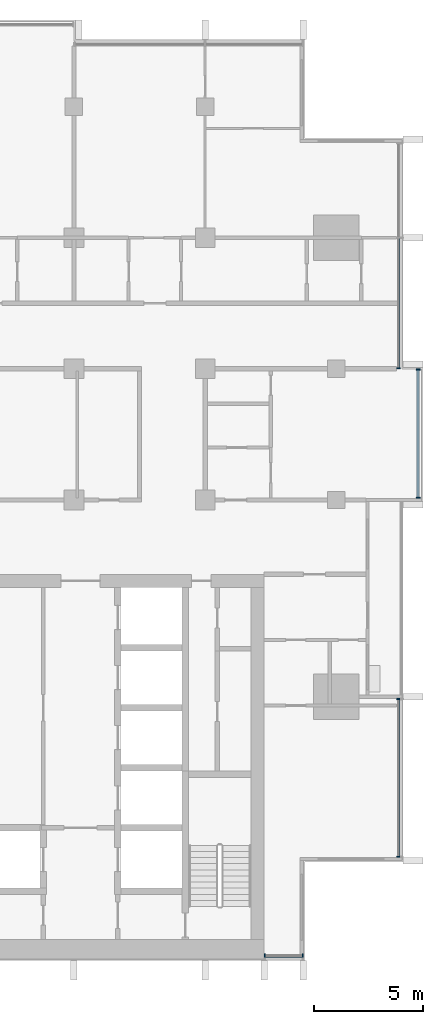
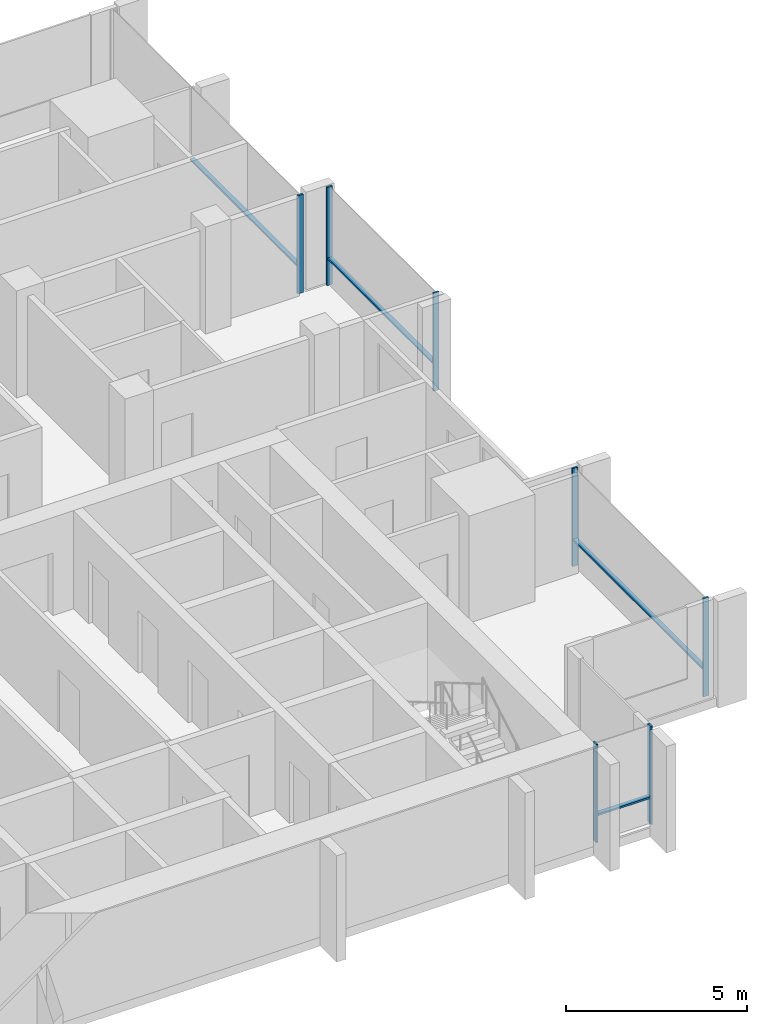
# One storey, part 3 of 16: 11 members, 4 elements without a shape of their own.
"""IFC4 building model written with IfcOpenShell, lengths in metres."""

from ifc_helpers import new_model, si_unit, direction, frame, origin, origin_2d, place, context, subcontext, project, spatial, rectangle, extrude, material, material_profile, profile_set, type_object, element, aggregate, save


model = new_model("IFC4")

# Units and contexts
model_context = context("Model", 3, precision=1e-05, world=origin(), true_north=direction((0.0, 1.0)))
body_context = subcontext(model_context, "Body", "Model", "MODEL_VIEW")
ifc_project = project(units=[si_unit("LENGTHUNIT", "METRE"), si_unit("AREAUNIT", "SQUARE_METRE"), si_unit("VOLUMEUNIT", "CUBIC_METRE"), si_unit("PLANEANGLEUNIT", "RADIAN"), si_unit("MASSUNIT", "GRAM", prefix="KILO")], contexts=[model_context])

# Site, building, storey
site_placement = place(None, origin())
site = spatial("IfcSite", under=ifc_project, at=site_placement, CompositionType="ELEMENT")
building_placement = place(site_placement, origin())
building = spatial("IfcBuilding", under=site, at=building_placement, Name="Finial Court Residences", CompositionType="ELEMENT")
storey_placement = place(building_placement, frame((0.0, 0.0, 223.10009765625)))
storey = spatial("IfcBuildingStorey", under=building, at=storey_placement, Name="L56", CompositionType="ELEMENT", Elevation=223.10009765625)

# Curtain wall, members
ifc_material = material(Name="Bronze anodised aluminium", Category="aluminium")
curtain_wall_type = type_object("IfcCurtainWallType", Name="Unitised curtain wall, upper zones", PredefinedType="NOTDEFINED", material=ifc_material)
curtain_wall_1_placement = place(storey_placement, origin())
curtain_wall_1 = element("IfcCurtainWall", 1, at=curtain_wall_1_placement, inside=storey, type_object=curtain_wall_type, Name="E-L56-CW-E4", PredefinedType="NOTDEFINED")
ifc_material_profile_1 = material_profile(ifc_material, rectangle(XDim=0.175048828125, YDim=0.06005859375, at=origin_2d()), Name="CW2 mullion 60 x 175")
ifc_profile_set_1 = profile_set([ifc_material_profile_1], Name="Bronze anodised aluminium")
member_type_1 = type_object("IfcMemberType", Name="CW2 mullion 60 x 175", PredefinedType="MULLION", material=ifc_profile_set_1)
member_1_placement = place(storey_placement, frame((19.35009765625, -20.820068359375, 0.0), z_axis=(0.0, 0.0, 1.0), x_axis=(-1.0, 0.0, 0.0)))
member_1 = element("IfcMember", 2, at=member_1_placement, type_object=member_type_1, Name="CW2 mullion 1", PredefinedType="MULLION", context=body_context, shape_type="SweptSolid", body=[
    extrude(rectangle(XDim=0.175048828125, YDim=0.06005859375, at=origin_2d()), origin(), (0.0, 0.0, 1.0), 3.2998046875),
])
member_2_placement = place(storey_placement, frame((19.35009765625, -13.60498046875, 0.0), z_axis=(0.0, 0.0, 1.0), x_axis=(-1.0, 0.0, 0.0)))
member_2 = element("IfcMember", 3, at=member_2_placement, type_object=member_type_1, Name="CW2 mullion 2", PredefinedType="MULLION", context=body_context, shape_type="SweptSolid", body=[
    extrude(rectangle(XDim=0.175048828125, YDim=0.06005859375, at=origin_2d()), origin(), (0.0, 0.0, 1.0), 3.2998046875),
])

curtain_wall_2_placement = place(storey_placement, origin())
curtain_wall_2 = element("IfcCurtainWall", 4, at=curtain_wall_2_placement, inside=storey, type_object=curtain_wall_type, Name="E-L56-CW-E5", PredefinedType="NOTDEFINED")
member_3_placement = place(storey_placement, frame((20.25, -4.39501953125, 0.0), z_axis=(0.0, 0.0, 1.0), x_axis=(-1.0, 0.0, 0.0)))
member_3 = element("IfcMember", 5, at=member_3_placement, type_object=member_type_1, Name="CW2 mullion 1", PredefinedType="MULLION", context=body_context, shape_type="SweptSolid", body=[
    extrude(rectangle(XDim=0.175048828125, YDim=0.06005859375, at=origin_2d()), origin(), (0.0, 0.0, 1.0), 3.2998046875),
])
member_4_placement = place(storey_placement, frame((20.25, 1.469970703125, 0.0), z_axis=(0.0, 0.0, 1.0), x_axis=(-1.0, 0.0, 0.0)))
member_4 = element("IfcMember", 6, at=member_4_placement, type_object=member_type_1, Name="CW2 mullion 2", PredefinedType="MULLION", context=body_context, shape_type="SweptSolid", body=[
    extrude(rectangle(XDim=0.175048828125, YDim=0.06005859375, at=origin_2d()), origin(), (0.0, 0.0, 1.0), 3.2998046875),
])

# Curtain wall, member
curtain_wall_3_placement = place(storey_placement, origin())
curtain_wall_3 = element("IfcCurtainWall", 7, at=curtain_wall_3_placement, inside=storey, type_object=curtain_wall_type, Name="E-L56-CW-E6", PredefinedType="NOTDEFINED")
member_5_placement = place(storey_placement, frame((19.35009765625, 1.530029296875, 0.0), z_axis=(0.0, 0.0, 1.0), x_axis=(-1.0, 0.0, 0.0)))
member_5 = element("IfcMember", 8, at=member_5_placement, type_object=member_type_1, Name="CW2 mullion 1", PredefinedType="MULLION", context=body_context, shape_type="SweptSolid", body=[
    extrude(rectangle(XDim=0.175048828125, YDim=0.06005859375, at=origin_2d()), origin(), (0.0, 0.0, 1.0), 3.2998046875),
])

# Curtain wall, members
curtain_wall_4_placement = place(storey_placement, origin())
curtain_wall_4 = element("IfcCurtainWall", 9, at=curtain_wall_4_placement, inside=storey, type_object=curtain_wall_type, Name="E-L56-CW-S8", PredefinedType="NOTDEFINED")
member_6_placement = place(storey_placement, frame((13.22998046875, -25.35009765625, 0.0), z_axis=(0.0, 0.0, 1.0), x_axis=(0.0, 1.0, 0.0)))
member_6 = element("IfcMember", 10, at=member_6_placement, type_object=member_type_1, Name="CW2 mullion 1", PredefinedType="MULLION", context=body_context, shape_type="SweptSolid", body=[
    extrude(rectangle(XDim=0.175048828125, YDim=0.06005859375, at=origin_2d()), origin(), (0.0, 0.0, 1.0), 3.2998046875),
])
member_7_placement = place(storey_placement, frame((14.969970703125, -25.35009765625, 0.0), z_axis=(0.0, 0.0, 1.0), x_axis=(0.0, 1.0, 0.0)))
member_7 = element("IfcMember", 11, at=member_7_placement, type_object=member_type_1, Name="CW2 mullion 2", PredefinedType="MULLION", context=body_context, shape_type="SweptSolid", body=[
    extrude(rectangle(XDim=0.175048828125, YDim=0.06005859375, at=origin_2d()), origin(), (0.0, 0.0, 1.0), 3.2998046875),
])

# Member
ifc_material_profile_2 = material_profile(ifc_material, rectangle(XDim=0.139892578125, YDim=0.06005859375, at=origin_2d()), Name="CW2 transom 60 x 140")
ifc_profile_set_2 = profile_set([ifc_material_profile_2], Name="Bronze anodised aluminium")
member_type_2 = type_object("IfcMemberType", Name="CW2 transom 60 x 140", PredefinedType="USERDEFINED", material=ifc_profile_set_2)
member_8_placement = place(storey_placement, frame((19.35009765625, -20.7900390625, 0.89990234375), z_axis=(0.0, 1.0, 0.0), x_axis=(-1.0, 0.0, 0.0)))
member_8 = element("IfcMember", 12, at=member_8_placement, type_object=member_type_2, Name="CW2 transom 1.1", ObjectType="TRANSOM", PredefinedType="USERDEFINED", context=body_context, shape_type="SweptSolid", body=[
    extrude(rectangle(XDim=0.139892578125, YDim=0.06005859375, at=origin_2d()), origin(), (0.0, 0.0, 1.0), 7.155029296875),
])

aggregate(curtain_wall_1, [member_1, member_2, member_8])

member_9_placement = place(storey_placement, frame((20.25, -4.364990234375, 0.89990234375), z_axis=(0.0, 1.0, 0.0), x_axis=(-1.0, 0.0, 0.0)))
member_9 = element("IfcMember", 13, at=member_9_placement, type_object=member_type_2, Name="CW2 transom 1.1", ObjectType="TRANSOM", PredefinedType="USERDEFINED", context=body_context, shape_type="SweptSolid", body=[
    extrude(rectangle(XDim=0.139892578125, YDim=0.06005859375, at=origin_2d()), origin(), (0.0, 0.0, 1.0), 5.804931640625),
])

aggregate(curtain_wall_2, [member_3, member_4, member_9])

member_10_placement = place(storey_placement, frame((19.35009765625, 1.56005859375, 0.89990234375), z_axis=(0.0, 1.0, 0.0), x_axis=(-1.0, 0.0, 0.0)))
member_10 = element("IfcMember", 14, at=member_10_placement, type_object=member_type_2, Name="CW2 transom 1.1", ObjectType="TRANSOM", PredefinedType="USERDEFINED", context=body_context, shape_type="SweptSolid", body=[
    extrude(rectangle(XDim=0.139892578125, YDim=0.06005859375, at=origin_2d()), origin(), (0.0, 0.0, 1.0), 5.909912109375),
])

aggregate(curtain_wall_3, [member_5, member_10])

member_11_placement = place(storey_placement, frame((13.260009765625, -25.35009765625, 0.89990234375), z_axis=(1.0, 0.0, 0.0), x_axis=(0.0, 1.0, 0.0)))
member_11 = element("IfcMember", 15, at=member_11_placement, type_object=member_type_2, Name="CW2 transom 1.1", ObjectType="TRANSOM", PredefinedType="USERDEFINED", context=body_context, shape_type="SweptSolid", body=[
    extrude(rectangle(XDim=0.139892578125, YDim=0.06005859375, at=origin_2d()), origin(), (0.0, 0.0, 1.0), 1.679931640625),
])

aggregate(curtain_wall_4, [member_6, member_7, member_11])

save(model, "model.ifc")
